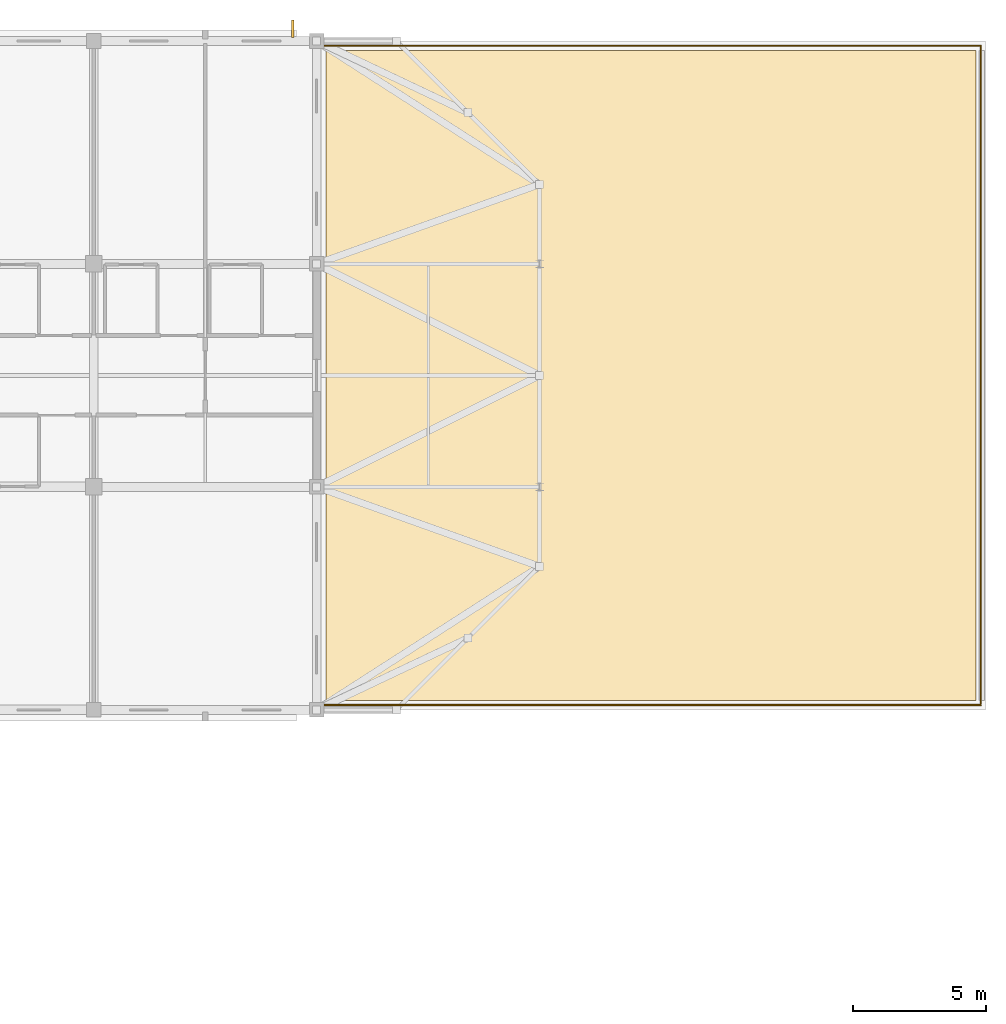
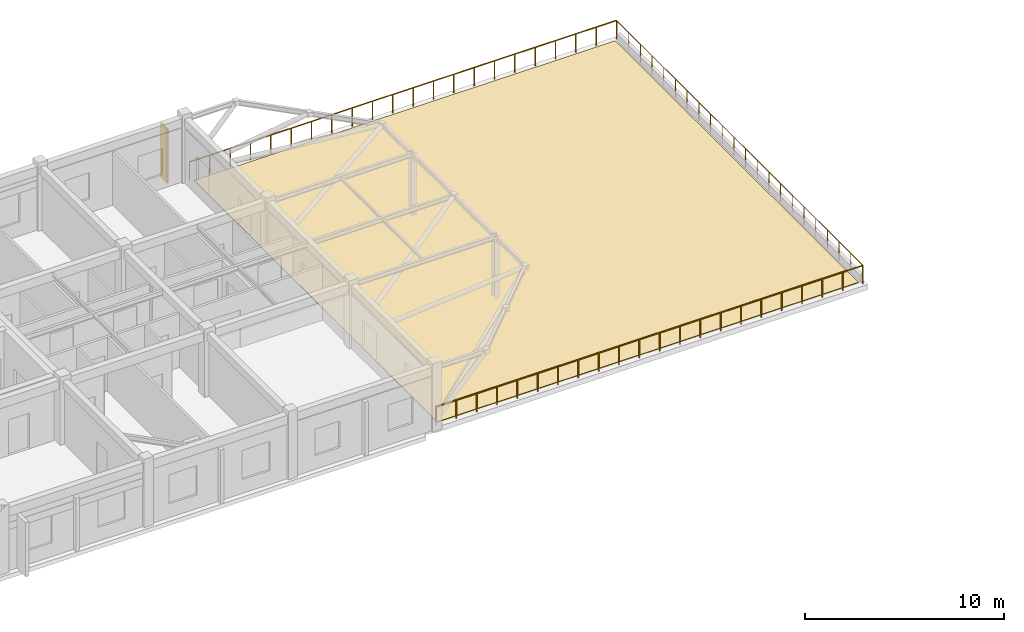
# One storey, part 20 of 21: 3 railings, 1 covering, 1 shading device.
"""IFC4 building model written with IfcOpenShell, lengths in metres."""

from ifc_helpers import new_model, si_unit, direction, frame, origin, origin_2d, place, context, subcontext, project, spatial, polyline, rectangle, circle, outline, extrude, material, layer, layer_set, type_object, element, save


model = new_model("IFC4")

# Units and contexts
model_context = context("Model", 3, precision=1e-05, world=origin(), true_north=direction((0.0, 1.0)))
body_context = subcontext(model_context, "Body", "Model", "MODEL_VIEW")
ifc_project = project(units=[si_unit("LENGTHUNIT", "METRE"), si_unit("AREAUNIT", "SQUARE_METRE"), si_unit("VOLUMEUNIT", "CUBIC_METRE"), si_unit("PLANEANGLEUNIT", "RADIAN"), si_unit("MASSUNIT", "GRAM", prefix="KILO")], contexts=[model_context])

# Site, building, storey
site_placement = place(None, origin())
site = spatial("IfcSite", under=ifc_project, at=site_placement, CompositionType="ELEMENT")
building_placement = place(site_placement, origin())
building = spatial("IfcBuilding", under=site, at=building_placement, Name="Trelvath General Hospital", CompositionType="ELEMENT")
storey_placement = place(building_placement, frame((0.0, 0.0, 28.800048828125)))
storey = spatial("IfcBuildingStorey", under=building, at=storey_placement, Name="L07", CompositionType="ELEMENT", Elevation=28.800048828125)

# Railings
ifc_material_1 = material(Name="Architectural painted steel", Category="steel")
railing_type = type_object("IfcRailingType", Name="Guardrail Terrace1150", PredefinedType="GUARDRAIL", material=ifc_material_1)
railing_1_placement = place(storey_placement, frame((134.219970703125, 92.639892578125, 0.0)))
element("IfcRailing", 1, at=railing_1_placement, inside=storey, type_object=railing_type, Name="Planted Terrace Guardrail TERR-NW-E7 E 16", PredefinedType="GUARDRAIL", context=body_context, shape_type="SweptSolid", body=[
    extrude(circle(Radius=0.02392578125, at=origin_2d()), frame((0.0, 0.0, 1.1259765625), z_axis=(0.0, 1.0, 0.0), x_axis=(-1.0, 0.0, 0.0)), (0.0, 0.0, 1.0), 24.72021484375),
    extrude(circle(Radius=0.02099609375, at=origin_2d()), origin(), (0.0, 0.0, 1.0), 1.099853515625),
    extrude(circle(Radius=0.02099609375, at=origin_2d()), frame((0.0, 1.17724609375, 0.0)), (0.0, 0.0, 1.0), 1.099853515625),
    extrude(circle(Radius=0.02099609375, at=origin_2d()), frame((0.0, 2.354248046875, 0.0)), (0.0, 0.0, 1.0), 1.099853515625),
    extrude(circle(Radius=0.02099609375, at=origin_2d()), frame((0.0, 3.531494140625, 0.0)), (0.0, 0.0, 1.0), 1.099853515625),
    extrude(circle(Radius=0.02099609375, at=origin_2d()), frame((0.0, 4.70849609375, 0.0)), (0.0, 0.0, 1.0), 1.099853515625),
    extrude(circle(Radius=0.02099609375, at=origin_2d()), frame((0.0, 5.8857421875, 0.0)), (0.0, 0.0, 1.0), 1.099853515625),
    extrude(circle(Radius=0.02099609375, at=origin_2d()), frame((0.0, 7.06298828125, 0.0)), (0.0, 0.0, 1.0), 1.099853515625),
    extrude(circle(Radius=0.02099609375, at=origin_2d()), frame((0.0, 8.239990234375, 0.0)), (0.0, 0.0, 1.0), 1.099853515625),
    extrude(circle(Radius=0.02099609375, at=origin_2d()), frame((0.0, 9.417236328125, 0.0)), (0.0, 0.0, 1.0), 1.099853515625),
    extrude(circle(Radius=0.02099609375, at=origin_2d()), frame((0.0, 10.594482421875, 0.0)), (0.0, 0.0, 1.0), 1.099853515625),
    extrude(circle(Radius=0.02099609375, at=origin_2d()), frame((0.0, 11.771484375, 0.0)), (0.0, 0.0, 1.0), 1.099853515625),
    extrude(circle(Radius=0.02099609375, at=origin_2d()), frame((0.0, 12.94873046875, 0.0)), (0.0, 0.0, 1.0), 1.099853515625),
    extrude(circle(Radius=0.02099609375, at=origin_2d()), frame((0.0, 14.125732421875, 0.0)), (0.0, 0.0, 1.0), 1.099853515625),
    extrude(circle(Radius=0.02099609375, at=origin_2d()), frame((0.0, 15.302978515625, 0.0)), (0.0, 0.0, 1.0), 1.099853515625),
    extrude(circle(Radius=0.02099609375, at=origin_2d()), frame((0.0, 16.480224609375, 0.0)), (0.0, 0.0, 1.0), 1.099853515625),
    extrude(circle(Radius=0.02099609375, at=origin_2d()), frame((0.0, 17.6572265625, 0.0)), (0.0, 0.0, 1.0), 1.099853515625),
    extrude(circle(Radius=0.02099609375, at=origin_2d()), frame((0.0, 18.83447265625, 0.0)), (0.0, 0.0, 1.0), 1.099853515625),
    extrude(circle(Radius=0.02099609375, at=origin_2d()), frame((0.0, 20.01171875, 0.0)), (0.0, 0.0, 1.0), 1.099853515625),
    extrude(circle(Radius=0.02099609375, at=origin_2d()), frame((0.0, 21.188720703125, 0.0)), (0.0, 0.0, 1.0), 1.099853515625),
    extrude(circle(Radius=0.02099609375, at=origin_2d()), frame((0.0, 22.365966796875, 0.0)), (0.0, 0.0, 1.0), 1.099853515625),
    extrude(circle(Radius=0.02099609375, at=origin_2d()), frame((0.0, 23.54296875, 0.0)), (0.0, 0.0, 1.0), 1.099853515625),
    extrude(circle(Radius=0.02099609375, at=origin_2d()), frame((0.0, 24.72021484375, 0.0)), (0.0, 0.0, 1.0), 1.099853515625),
])
railing_2_placement = place(storey_placement, frame((109.3798828125, 92.580078125, 0.0)))
element("IfcRailing", 2, at=railing_2_placement, inside=storey, type_object=railing_type, Name="Planted Terrace Guardrail TERR-NW-E7 S 17", PredefinedType="GUARDRAIL", context=body_context, shape_type="SweptSolid", body=[
    extrude(circle(Radius=0.02392578125, at=origin_2d()), frame((0.0, 0.0, 1.1259765625), z_axis=(1.0, 0.0, 0.0), x_axis=(0.0, 1.0, 0.0)), (0.0, 0.0, 1.0), 24.840087890625),
    extrude(circle(Radius=0.02099609375, at=origin_2d()), origin(), (0.0, 0.0, 1.0), 1.099853515625),
    extrude(circle(Radius=0.02099609375, at=origin_2d()), frame((1.182861328125, 0.0, 0.0)), (0.0, 0.0, 1.0), 1.099853515625),
    extrude(circle(Radius=0.02099609375, at=origin_2d()), frame((2.36572265625, 0.0, 0.0)), (0.0, 0.0, 1.0), 1.099853515625),
    extrude(circle(Radius=0.02099609375, at=origin_2d()), frame((3.548583984375, 0.0, 0.0)), (0.0, 0.0, 1.0), 1.099853515625),
    extrude(circle(Radius=0.02099609375, at=origin_2d()), frame((4.7314453125, 0.0, 0.0)), (0.0, 0.0, 1.0), 1.099853515625),
    extrude(circle(Radius=0.02099609375, at=origin_2d()), frame((5.914306640625, 0.0, 0.0)), (0.0, 0.0, 1.0), 1.099853515625),
    extrude(circle(Radius=0.02099609375, at=origin_2d()), frame((7.09716796875, 0.0, 0.0)), (0.0, 0.0, 1.0), 1.099853515625),
    extrude(circle(Radius=0.02099609375, at=origin_2d()), frame((8.280029296875, 0.0, 0.0)), (0.0, 0.0, 1.0), 1.099853515625),
    extrude(circle(Radius=0.02099609375, at=origin_2d()), frame((9.462890625, 0.0, 0.0)), (0.0, 0.0, 1.0), 1.099853515625),
    extrude(circle(Radius=0.02099609375, at=origin_2d()), frame((10.645751953125, 0.0, 0.0)), (0.0, 0.0, 1.0), 1.099853515625),
    extrude(circle(Radius=0.02099609375, at=origin_2d()), frame((11.82861328125, 0.0, 0.0)), (0.0, 0.0, 1.0), 1.099853515625),
    extrude(circle(Radius=0.02099609375, at=origin_2d()), frame((13.011474609375, 0.0, 0.0)), (0.0, 0.0, 1.0), 1.099853515625),
    extrude(circle(Radius=0.02099609375, at=origin_2d()), frame((14.1943359375, 0.0, 0.0)), (0.0, 0.0, 1.0), 1.099853515625),
    extrude(circle(Radius=0.02099609375, at=origin_2d()), frame((15.377197265625, 0.0, 0.0)), (0.0, 0.0, 1.0), 1.099853515625),
    extrude(circle(Radius=0.02099609375, at=origin_2d()), frame((16.56005859375, 0.0, 0.0)), (0.0, 0.0, 1.0), 1.099853515625),
    extrude(circle(Radius=0.02099609375, at=origin_2d()), frame((17.742919921875, 0.0, 0.0)), (0.0, 0.0, 1.0), 1.099853515625),
    extrude(circle(Radius=0.02099609375, at=origin_2d()), frame((18.92578125, 0.0, 0.0)), (0.0, 0.0, 1.0), 1.099853515625),
    extrude(circle(Radius=0.02099609375, at=origin_2d()), frame((20.108642578125, 0.0, 0.0)), (0.0, 0.0, 1.0), 1.099853515625),
    extrude(circle(Radius=0.02099609375, at=origin_2d()), frame((21.29150390625, 0.0, 0.0)), (0.0, 0.0, 1.0), 1.099853515625),
    extrude(circle(Radius=0.02099609375, at=origin_2d()), frame((22.474365234375, 0.0, 0.0)), (0.0, 0.0, 1.0), 1.099853515625),
    extrude(circle(Radius=0.02099609375, at=origin_2d()), frame((23.6572265625, 0.0, 0.0)), (0.0, 0.0, 1.0), 1.099853515625),
    extrude(circle(Radius=0.02099609375, at=origin_2d()), frame((24.840087890625, 0.0, 0.0)), (0.0, 0.0, 1.0), 1.099853515625),
])
railing_3_placement = place(storey_placement, frame((109.3798828125, 117.419921875, 0.0)))
element("IfcRailing", 3, at=railing_3_placement, inside=storey, type_object=railing_type, Name="Planted Terrace Guardrail TERR-NW-E7 N 18", PredefinedType="GUARDRAIL", context=body_context, shape_type="SweptSolid", body=[
    extrude(circle(Radius=0.02392578125, at=origin_2d()), frame((0.0, 0.0, 1.1259765625), z_axis=(1.0, 0.0, 0.0), x_axis=(0.0, 1.0, 0.0)), (0.0, 0.0, 1.0), 24.840087890625),
    extrude(circle(Radius=0.02099609375, at=origin_2d()), origin(), (0.0, 0.0, 1.0), 1.099853515625),
    extrude(circle(Radius=0.02099609375, at=origin_2d()), frame((1.182861328125, 0.0, 0.0)), (0.0, 0.0, 1.0), 1.099853515625),
    extrude(circle(Radius=0.02099609375, at=origin_2d()), frame((2.36572265625, 0.0, 0.0)), (0.0, 0.0, 1.0), 1.099853515625),
    extrude(circle(Radius=0.02099609375, at=origin_2d()), frame((3.548583984375, 0.0, 0.0)), (0.0, 0.0, 1.0), 1.099853515625),
    extrude(circle(Radius=0.02099609375, at=origin_2d()), frame((4.7314453125, 0.0, 0.0)), (0.0, 0.0, 1.0), 1.099853515625),
    extrude(circle(Radius=0.02099609375, at=origin_2d()), frame((5.914306640625, 0.0, 0.0)), (0.0, 0.0, 1.0), 1.099853515625),
    extrude(circle(Radius=0.02099609375, at=origin_2d()), frame((7.09716796875, 0.0, 0.0)), (0.0, 0.0, 1.0), 1.099853515625),
    extrude(circle(Radius=0.02099609375, at=origin_2d()), frame((8.280029296875, 0.0, 0.0)), (0.0, 0.0, 1.0), 1.099853515625),
    extrude(circle(Radius=0.02099609375, at=origin_2d()), frame((9.462890625, 0.0, 0.0)), (0.0, 0.0, 1.0), 1.099853515625),
    extrude(circle(Radius=0.02099609375, at=origin_2d()), frame((10.645751953125, 0.0, 0.0)), (0.0, 0.0, 1.0), 1.099853515625),
    extrude(circle(Radius=0.02099609375, at=origin_2d()), frame((11.82861328125, 0.0, 0.0)), (0.0, 0.0, 1.0), 1.099853515625),
    extrude(circle(Radius=0.02099609375, at=origin_2d()), frame((13.011474609375, 0.0, 0.0)), (0.0, 0.0, 1.0), 1.099853515625),
    extrude(circle(Radius=0.02099609375, at=origin_2d()), frame((14.1943359375, 0.0, 0.0)), (0.0, 0.0, 1.0), 1.099853515625),
    extrude(circle(Radius=0.02099609375, at=origin_2d()), frame((15.377197265625, 0.0, 0.0)), (0.0, 0.0, 1.0), 1.099853515625),
    extrude(circle(Radius=0.02099609375, at=origin_2d()), frame((16.56005859375, 0.0, 0.0)), (0.0, 0.0, 1.0), 1.099853515625),
    extrude(circle(Radius=0.02099609375, at=origin_2d()), frame((17.742919921875, 0.0, 0.0)), (0.0, 0.0, 1.0), 1.099853515625),
    extrude(circle(Radius=0.02099609375, at=origin_2d()), frame((18.92578125, 0.0, 0.0)), (0.0, 0.0, 1.0), 1.099853515625),
    extrude(circle(Radius=0.02099609375, at=origin_2d()), frame((20.108642578125, 0.0, 0.0)), (0.0, 0.0, 1.0), 1.099853515625),
    extrude(circle(Radius=0.02099609375, at=origin_2d()), frame((21.29150390625, 0.0, 0.0)), (0.0, 0.0, 1.0), 1.099853515625),
    extrude(circle(Radius=0.02099609375, at=origin_2d()), frame((22.474365234375, 0.0, 0.0)), (0.0, 0.0, 1.0), 1.099853515625),
    extrude(circle(Radius=0.02099609375, at=origin_2d()), frame((23.6572265625, 0.0, 0.0)), (0.0, 0.0, 1.0), 1.099853515625),
    extrude(circle(Radius=0.02099609375, at=origin_2d()), frame((24.840087890625, 0.0, 0.0)), (0.0, 0.0, 1.0), 1.099853515625),
])

# Covering
ifc_material_2 = material(Name="Planted green roof substrate")
ifc_layer = layer(ifc_material_2, 0.179931640625)
ifc_layer_set = layer_set([ifc_layer], Name="Planted green roof substrate")
covering_type = type_object("IfcCoveringType", Name="Roofing PlantedGarden", PredefinedType="ROOFING", material=ifc_layer_set)
covering_placement = place(storey_placement, origin())
element("IfcCovering", 4, at=covering_placement, inside=storey, type_object=covering_type, Name="Planted Terrace Substrate TERR-NW-E7", PredefinedType="ROOFING", context=body_context, shape_type="SweptSolid", body=[
    extrude(outline(polyline([(109.550048828125, 92.75), (134.050048828125, 92.75), (134.050048828125, 117.25), (109.550048828125, 117.25), (109.550048828125, 92.75)])), origin(), (0.0, 0.0, 1.0), 0.0400390625),
])

# Shading device
ifc_material_3 = material(Name="Anodised aluminium", Category="aluminium")
shading_device_type = type_object("IfcShadingDeviceType", Name="SolarScreen PerforatedAlu", PredefinedType="JALOUSIE", material=ifc_material_3)
shading_device_placement = place(storey_placement, frame((108.30126953125, 118.06494140625, 0.0), z_axis=(0.0, 0.0, 1.0), x_axis=(0.0, 1.0, 0.0)))
element("IfcShadingDevice", 5, at=shading_device_placement, inside=storey, type_object=shading_device_type, Name="Solar Brise-Soleil Screen L07-108", PredefinedType="JALOUSIE", context=body_context, shape_type="SweptSolid", body=[
    extrude(rectangle(XDim=0.64990234375, YDim=0.080078125, at=origin_2d()), origin(), (0.0, 0.0, 1.0), 3.340087890625),
])

save(model, "model.ifc")
